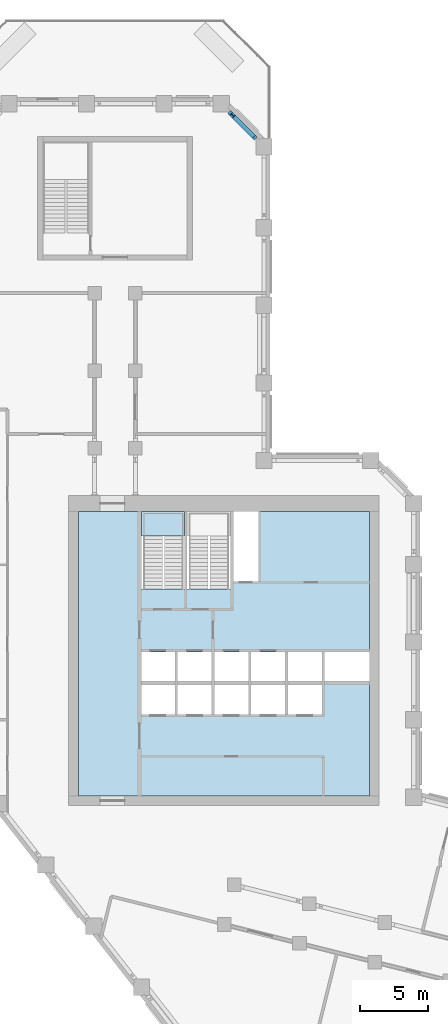
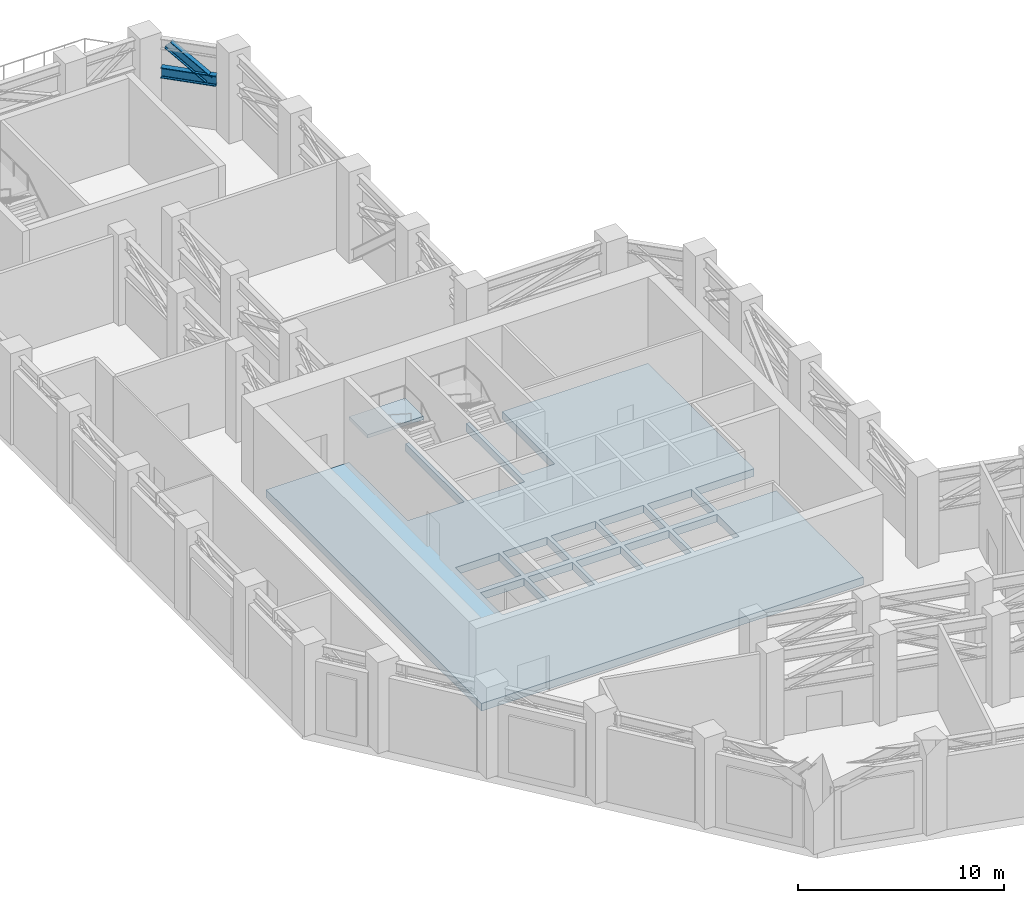
# One storey, part 4 of 14: 2 slabs, 1 beam, 1 member, 1 element without a shape of its own.
"""IFC4 building model written with IfcOpenShell, lengths in metres."""

from ifc_helpers import new_model, si_unit, direction, frame, origin, origin_2d, place, context, subcontext, project, spatial, polyline, i_section, outline, extrude, material, layer, layer_set, material_profile, profile_set, type_object, element, aggregate, save


model = new_model("IFC4")

# Units and contexts
model_context = context("Model", 3, precision=1e-05, world=origin(), true_north=direction((0.0, 1.0)))
body_context = subcontext(model_context, "Body", "Model", "MODEL_VIEW")
ifc_project = project(units=[si_unit("LENGTHUNIT", "METRE"), si_unit("AREAUNIT", "SQUARE_METRE"), si_unit("VOLUMEUNIT", "CUBIC_METRE"), si_unit("PLANEANGLEUNIT", "RADIAN"), si_unit("MASSUNIT", "GRAM", prefix="KILO")], contexts=[model_context])

# Site, building, storey
site_placement = place(None, origin())
site = spatial("IfcSite", under=ifc_project, at=site_placement, CompositionType="ELEMENT")
building_placement = place(site_placement, origin())
building = spatial("IfcBuilding", under=site, at=building_placement, Name="Meshkara Civic Tower", CompositionType="ELEMENT")
storey_placement = place(building_placement, frame((0.0, 0.0, 220.199951171875)))
storey = spatial("IfcBuildingStorey", under=building, at=storey_placement, Name="L50", CompositionType="ELEMENT", Elevation=220.199951171875)

# Beam
ifc_material_1 = material(Name="Steel S355", Category="steel")
ifc_material_profile_1 = material_profile(ifc_material_1, i_section(OverallWidth=0.304931640625, OverallDepth=0.6201171875, WebThickness=0.02099609375, FlangeThickness=0.0400390625, FilletRadius=0.027099609375, at=origin_2d()))
ifc_profile_set_1 = profile_set([ifc_material_profile_1], Name="Steel S355")
beam_type = type_object("IfcBeamType", Name="Belt truss chord HEM 600 S355", PredefinedType="BEAM", material=ifc_profile_set_1)
beam_placement = place(storey_placement, frame((21.75341796875, 63.110595703125, 3.090087890625), z_axis=(-0.707106781187, 0.707106781187, 0.0), x_axis=(-0.707106781187, -0.707106781187, 0.0)))
element("IfcBeam", 1, at=beam_placement, inside=storey, type_object=beam_type, Name="Belt truss chord BAEEP3-ATiEP3", PredefinedType="BEAM", context=body_context, shape_type="SweptSolid", body=[
    extrude(i_section(OverallWidth=0.304931640625, OverallDepth=0.6201171875, WebThickness=0.02099609375, FlangeThickness=0.0400390625, FilletRadius=0.027099609375, at=origin_2d()), origin(), (0.0, 0.0, 1.0), 2.77587890625),
])

# Member
ifc_material_2 = material(Name="Steel S355", Category="steel")
ifc_material_profile_2 = material_profile(ifc_material_2, i_section(OverallWidth=0.300048828125, OverallDepth=0.5, WebThickness=0.014404296875, FlangeThickness=0.028076171875, FilletRadius=0.027099609375, at=origin_2d()))
ifc_profile_set_2 = profile_set([ifc_material_profile_2], Name="Steel S355")
member_type = type_object("IfcMemberType", Name="Truss diagonal HEB 500 S355", PredefinedType="BRACE", material=ifc_profile_set_2)
member_placement = place(storey_placement, frame((21.506103515625, 63.35791015625, 3.090087890625), z_axis=(-0.547098411538, 0.547098411538, 0.633535047321), x_axis=(-0.707106781187, -0.707106781187, 0.0)))
element("IfcMember", 2, at=member_placement, inside=storey, type_object=member_type, Name="TD-BAEEP3-ATiEP3-L50", PredefinedType="BRACE", context=body_context, shape_type="SweptSolid", body=[
    extrude(i_section(OverallWidth=0.300048828125, OverallDepth=0.5, WebThickness=0.014404296875, FlangeThickness=0.028076171875, FilletRadius=0.027099609375, at=origin_2d()), origin(), (0.0, 0.0, 1.0), 2.683349609375),
])

# Slab
ifc_material_3 = material(Name="Concrete C40/50", Category="concrete")
ifc_layer_1 = layer(ifc_material_3, 0.449951171875)
ifc_layer_set_1 = layer_set([ifc_layer_1], Name="Core floor slab 450 C40/50")
slab_type_1 = type_object("IfcSlabType", Name="Core floor slab 450 C40/50", PredefinedType="FLOOR", material=ifc_layer_set_1)
slab_1_placement = place(storey_placement, frame((0.0, 0.0, -0.449951171875)))
element("IfcSlab", 3, at=slab_1_placement, inside=storey, type_object=slab_type_1, Name="Core floor K", PredefinedType="FLOOR", context=body_context, shape_type="SweptSolid", body=[
    extrude(outline(polyline([(8.699951171875, 35.699951171875), (13.35009765625, 35.699951171875), (13.35009765625, 30.00146484375), (16.5, 30.00146484375), (16.5, 35.699951171875), (16.699951171875, 35.699951171875), (16.699951171875, 30.00146484375), (19.89990234375, 30.00146484375), (19.89990234375, 35.699951171875), (20.10009765625, 35.699951171875), (20.10009765625, 30.574951171875), (21.925048828125, 30.574951171875), (21.925048828125, 35.699951171875), (30.10009765625, 35.699951171875), (30.10009765625, 25.39990234375), (26.800048828125, 25.39990234375), (26.800048828125, 23.25), (30.10009765625, 23.25), (30.10009765625, 14.800048828125), (8.699951171875, 14.800048828125), (8.699951171875, 35.699951171875)]), holes=[polyline([(15.800048828125, 22.949951171875), (13.35009765625, 22.949951171875), (13.35009765625, 20.800048828125), (15.800048828125, 20.800048828125), (15.800048828125, 22.949951171875)]), polyline([(16.0, 22.949951171875), (16.0, 20.800048828125), (18.5, 20.800048828125), (18.5, 22.949951171875), (16.0, 22.949951171875)]), polyline([(18.699951171875, 22.949951171875), (18.699951171875, 20.800048828125), (21.199951171875, 20.800048828125), (21.199951171875, 22.949951171875), (18.699951171875, 22.949951171875)]), polyline([(15.800048828125, 23.25), (15.800048828125, 25.39990234375), (13.35009765625, 25.39990234375), (13.35009765625, 23.25), (15.800048828125, 23.25)]), polyline([(16.0, 25.39990234375), (16.0, 23.25), (18.5, 23.25), (18.5, 25.39990234375), (16.0, 25.39990234375)]), polyline([(23.89990234375, 20.800048828125), (23.89990234375, 22.949951171875), (21.39990234375, 22.949951171875), (21.39990234375, 20.800048828125), (23.89990234375, 20.800048828125)]), polyline([(24.10009765625, 20.800048828125), (26.60009765625, 20.800048828125), (26.60009765625, 22.949951171875), (24.10009765625, 22.949951171875), (24.10009765625, 20.800048828125)]), polyline([(18.699951171875, 25.39990234375), (18.699951171875, 23.25), (21.199951171875, 23.25), (21.199951171875, 25.39990234375), (18.699951171875, 25.39990234375)]), polyline([(21.39990234375, 23.25), (23.89990234375, 23.25), (23.89990234375, 25.39990234375), (21.39990234375, 25.39990234375), (21.39990234375, 23.25)]), polyline([(24.10009765625, 23.25), (26.60009765625, 23.25), (26.60009765625, 25.39990234375), (24.10009765625, 25.39990234375), (24.10009765625, 23.25)])]), origin(), (0.0, 0.0, 1.0), 0.449951171875),
])

# Stair, slab
ifc_material_4 = material(Name="Precast concrete C40/50", Category="concrete")
stair_type = type_object("IfcStairType", Name="Exit stair half-turn 30 risers precast", PredefinedType="HALF_TURN_STAIR", material=ifc_material_4)
stair_placement = place(storey_placement, origin())
stair = element("IfcStair", 4, at=stair_placement, inside=storey, type_object=stair_type, Name="L50 exit stair 1", PredefinedType="HALF_TURN_STAIR")
ifc_material_5 = material(Name="Precast concrete C40/50", Category="concrete")
ifc_layer_2 = layer(ifc_material_5, 0.199951171875)
ifc_layer_set_2 = layer_set([ifc_layer_2], Name="Exit stair landing 200")
slab_type_2 = type_object("IfcSlabType", Name="Exit stair landing 200", PredefinedType="LANDING", material=ifc_layer_set_2)
slab_2_placement = place(storey_placement, frame((0.0, 0.0, 2.5)))
slab_2 = element("IfcSlab", 5, at=slab_2_placement, type_object=slab_type_2, Name="ST1 landing 1", PredefinedType="LANDING", context=body_context, shape_type="SweptSolid", body=[
    extrude(outline(polyline([(16.5, 33.91845703125), (16.5, 35.699951171875), (13.35009765625, 35.699951171875), (13.35009765625, 33.91845703125), (16.5, 33.91845703125)])), origin(), (0.0, 0.0, 1.0), 0.199951171875),
])
aggregate(stair, [slab_2])

save(model, "model.ifc")
